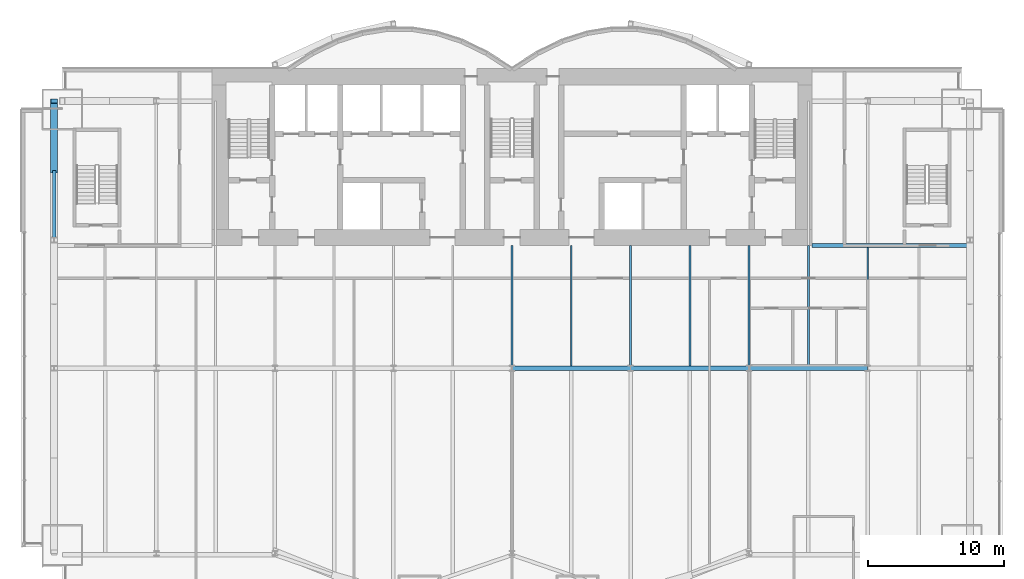
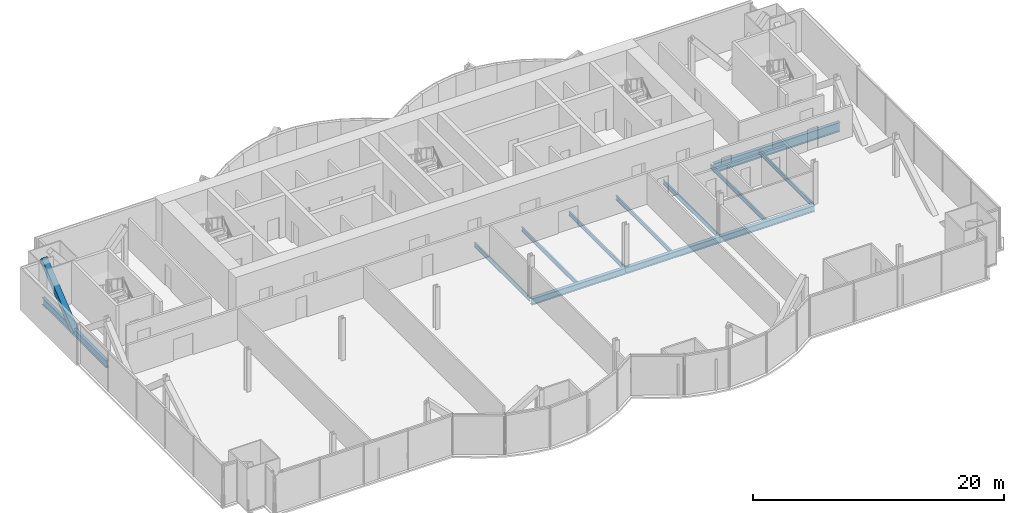
# One storey, part 9 of 21: 12 beams, 1 member.
"""IFC4 building model written with IfcOpenShell, lengths in metres."""

from ifc_helpers import new_model, si_unit, direction, frame, origin, origin_2d, place, context, subcontext, project, spatial, hollow_rectangle, i_section, extrude, material, material_profile, profile_set, type_object, element, save


model = new_model("IFC4")

# Units and contexts
model_context = context("Model", 3, precision=1e-05, world=origin(), true_north=direction((0.0, 1.0)))
body_context = subcontext(model_context, "Body", "Model", "MODEL_VIEW")
ifc_project = project(units=[si_unit("LENGTHUNIT", "METRE"), si_unit("AREAUNIT", "SQUARE_METRE"), si_unit("VOLUMEUNIT", "CUBIC_METRE"), si_unit("PLANEANGLEUNIT", "RADIAN"), si_unit("MASSUNIT", "GRAM", prefix="KILO")], contexts=[model_context])

# Site, building, storey
site_placement = place(None, origin())
site = spatial("IfcSite", under=ifc_project, at=site_placement, CompositionType="ELEMENT")
building_placement = place(site_placement, origin())
building = spatial("IfcBuilding", under=site, at=building_placement, Name="Bicima Exchange Tower", CompositionType="ELEMENT")
storey_placement = place(building_placement, frame((0.0, 0.0, 106.300048828125)))
storey = spatial("IfcBuildingStorey", under=building, at=storey_placement, Name="L22", CompositionType="ELEMENT", Elevation=106.300048828125)

# Beams
ifc_material_1 = material(Name="Steel ASTM A992 Gr 50", Category="steel")
ifc_material_profile_1 = material_profile(ifc_material_1, i_section(OverallWidth=0.3046875, OverallDepth=0.911865234375, WebThickness=0.015869140625, FlangeThickness=0.02392578125, at=origin_2d()))
ifc_profile_set_1 = profile_set([ifc_material_profile_1], Name="Steel ASTM A992 Gr 50")
beam_type_1 = type_object("IfcBeamType", Name="Core-line girder W36x150", PredefinedType="BEAM", material=ifc_profile_set_1)
beam_1_placement = place(storey_placement, frame((22.0, -13.0, -0.60595703125), z_axis=(1.0, 0.0, 0.0), x_axis=(0.0, 1.0, 0.0)))
element("IfcBeam", 1, at=beam_1_placement, inside=storey, type_object=beam_type_1, Name="Core-line girder", PredefinedType="BEAM", context=body_context, shape_type="SweptSolid", body=[
    extrude(i_section(OverallWidth=0.3046875, OverallDepth=0.911865234375, WebThickness=0.015869140625, FlangeThickness=0.02392578125, at=origin_2d()), origin(), (0.0, 0.0, 1.0), 11.60009765625),
])
ifc_material_profile_2 = material_profile(ifc_material_1, i_section(OverallWidth=0.256591796875, OverallDepth=0.693359375, WebThickness=0.014404296875, FlangeThickness=0.023681640625, at=origin_2d()))
ifc_profile_set_2 = profile_set([ifc_material_profile_2], Name="Steel ASTM A992 Gr 50")
beam_type_2 = type_object("IfcBeamType", Name="End girder W27x114", PredefinedType="BEAM", material=ifc_profile_set_2)
beam_2_placement = place(storey_placement, frame((-33.60009765625, -2.39990234375, -0.496826171875), z_axis=(0.0, -1.0, 0.0), x_axis=(1.0, 0.0, 0.0)))
element("IfcBeam", 2, at=beam_2_placement, inside=storey, type_object=beam_type_2, Name="End girder", PredefinedType="BEAM", context=body_context, shape_type="SweptSolid", body=[
    extrude(i_section(OverallWidth=0.256591796875, OverallDepth=0.693359375, WebThickness=0.014404296875, FlangeThickness=0.023681640625, at=origin_2d()), origin(), (0.0, 0.0, 1.0), 10.2001953125),
])
ifc_material_profile_3 = material_profile(ifc_material_1, i_section(OverallWidth=0.140380859375, OverallDepth=0.40380859375, WebThickness=0.007080078125, FlangeThickness=0.01123046875, at=origin_2d()))
ifc_profile_set_3 = profile_set([ifc_material_profile_3], Name="Steel ASTM A992 Gr 50")
beam_type_3 = type_object("IfcBeamType", Name="Floor beam W16x31", PredefinedType="JOIST", material=ifc_profile_set_3)
for number, where, z_axis, x_axis, name in (
    (3, (0.0, -13.0, -0.35205078125), (0.0, -1.0, 0.0), (1.0, 0.0, 0.0), "Floor beam"),
    (4, (4.35009765625, -13.0, -0.35205078125), (0.0, -1.0, 0.0), (1.0, 0.0, 0.0), "Floor beam"),
    (5, (8.699951171875, -13.0, -0.35205078125), (0.0, -1.0, 0.0), (1.0, 0.0, 0.0), "Floor beam"),
    (6, (13.050048828125, -13.0, -0.35205078125), (0.0, -1.0, 0.0), (1.0, 0.0, 0.0), "Floor beam"),
    (7, (17.39990234375, -13.0, -0.35205078125), (0.0, -1.0, 0.0), (1.0, 0.0, 0.0), "Floor beam"),
    (8, (21.75, -13.0, -0.35205078125), (0.0, -1.0, 0.0), (1.0, 0.0, 0.0), "Floor beam"),
):
    element("IfcBeam", number, at=place(storey_placement, frame(where, z_axis=z_axis, x_axis=x_axis)), inside=storey, type_object=beam_type_3, Name=name, PredefinedType="JOIST", context=body_context, shape_type="SweptSolid", body=[
        extrude(i_section(OverallWidth=0.140380859375, OverallDepth=0.40380859375, WebThickness=0.007080078125, FlangeThickness=0.01123046875, at=origin_2d()), origin(), (0.0, 0.0, 1.0), 8.83740234375),
    ])
beam_3_placement = place(storey_placement, frame((26.10009765625, -13.15234375, -0.35205078125), z_axis=(0.0, -1.0, 0.0), x_axis=(1.0, 0.0, 0.0)))
element("IfcBeam", 9, at=beam_3_placement, inside=storey, type_object=beam_type_3, Name="Floor beam", PredefinedType="JOIST", context=body_context, shape_type="SweptSolid", body=[
    extrude(i_section(OverallWidth=0.140380859375, OverallDepth=0.40380859375, WebThickness=0.007080078125, FlangeThickness=0.01123046875, at=origin_2d()), origin(), (0.0, 0.0, 1.0), 8.68505859375),
])

# Member
ifc_material_2 = material(Name="Steel ASTM A572 Gr 50", Category="steel")
ifc_material_profile_4 = material_profile(ifc_material_2, hollow_rectangle(XDim=0.508056640625, YDim=0.508056640625, WallThickness=0.0146484375, at=origin_2d()))
ifc_profile_set_4 = profile_set([ifc_material_profile_4], Name="Steel ASTM A572 Gr 50")
member_type = type_object("IfcMemberType", Name="Mega brace HSS20x20x5/8", PredefinedType="BRACE", material=ifc_profile_set_4)
member_placement = place(storey_placement, frame((-33.60009765625, -7.5, -0.496826171875), z_axis=(0.0, 0.779374241895, 0.626558689247), x_axis=(-1.0, 0.0, 0.0)))
element("IfcMember", 10, at=member_placement, inside=storey, type_object=member_type, Name="Mega brace west end", PredefinedType="BRACE", context=body_context, shape_type="SweptSolid", body=[
    extrude(hollow_rectangle(XDim=0.508056640625, YDim=0.508056640625, WallThickness=0.0146484375, at=origin_2d()), origin(), (0.0, 0.0, 1.0), 6.5439453125),
])

# Beams
ifc_material_profile_5 = material_profile(ifc_material_1, i_section(OverallWidth=0.3251953125, OverallDepth=0.612060546875, WebThickness=0.0126953125, FlangeThickness=0.01904296875, at=origin_2d()))
ifc_profile_set_5 = profile_set([ifc_material_profile_5], Name="Steel ASTM A992 Gr 50")
beam_type_4 = type_object("IfcBeamType", Name="Row girder W24x104", PredefinedType="BEAM", material=ifc_profile_set_5)
for number, where, z_axis, x_axis, name in (
    (11, (0.0, -22.0, -0.4560546875), (1.0, 0.0, 0.0), (0.0, 1.0, 0.0), "Row girder"),
    (12, (8.699951171875, -22.0, -0.4560546875), (1.0, 0.0, 0.0), (0.0, 1.0, 0.0), "Row girder"),
):
    element("IfcBeam", number, at=place(storey_placement, frame(where, z_axis=z_axis, x_axis=x_axis)), inside=storey, type_object=beam_type_4, Name=name, PredefinedType="BEAM", context=body_context, shape_type="SweptSolid", body=[
        extrude(i_section(OverallWidth=0.3251953125, OverallDepth=0.612060546875, WebThickness=0.0126953125, FlangeThickness=0.01904296875, at=origin_2d()), origin(), (0.0, 0.0, 1.0), 8.699951171875),
    ])
beam_4_placement = place(storey_placement, frame((17.39990234375, -22.0, -0.4560546875), z_axis=(1.0, 0.0, 0.0), x_axis=(0.0, 1.0, 0.0)))
element("IfcBeam", 13, at=beam_4_placement, inside=storey, type_object=beam_type_4, Name="Row girder", PredefinedType="BEAM", context=body_context, shape_type="SweptSolid", body=[
    extrude(i_section(OverallWidth=0.3251953125, OverallDepth=0.612060546875, WebThickness=0.0126953125, FlangeThickness=0.01904296875, at=origin_2d()), origin(), (0.0, 0.0, 1.0), 8.7001953125),
])

save(model, "model.ifc")
